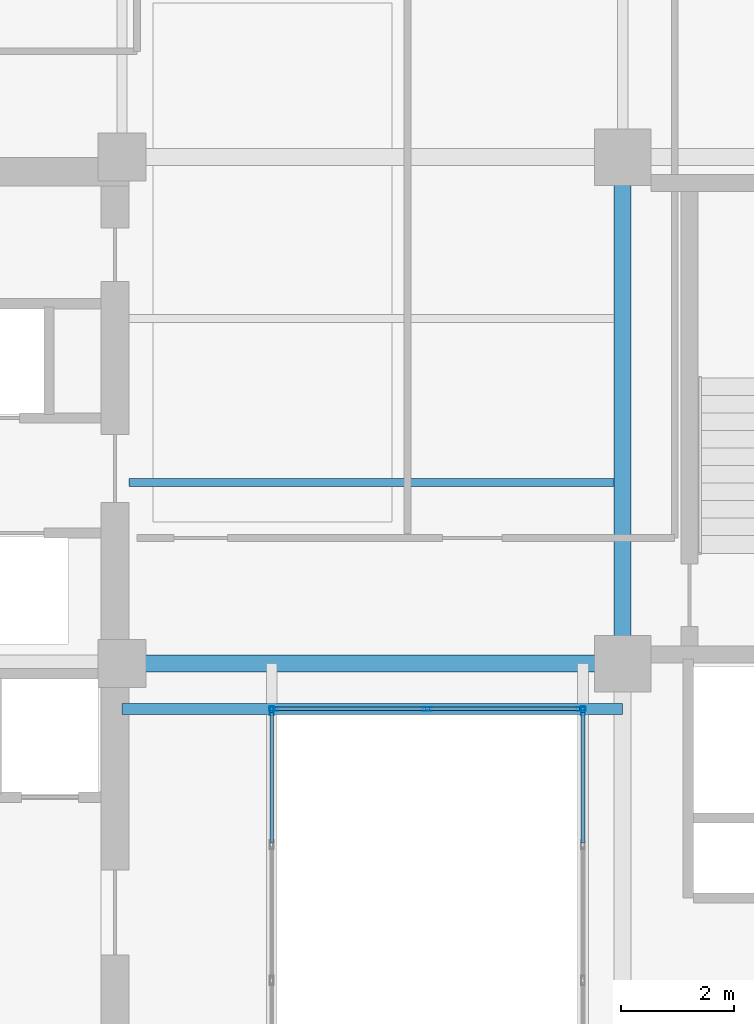
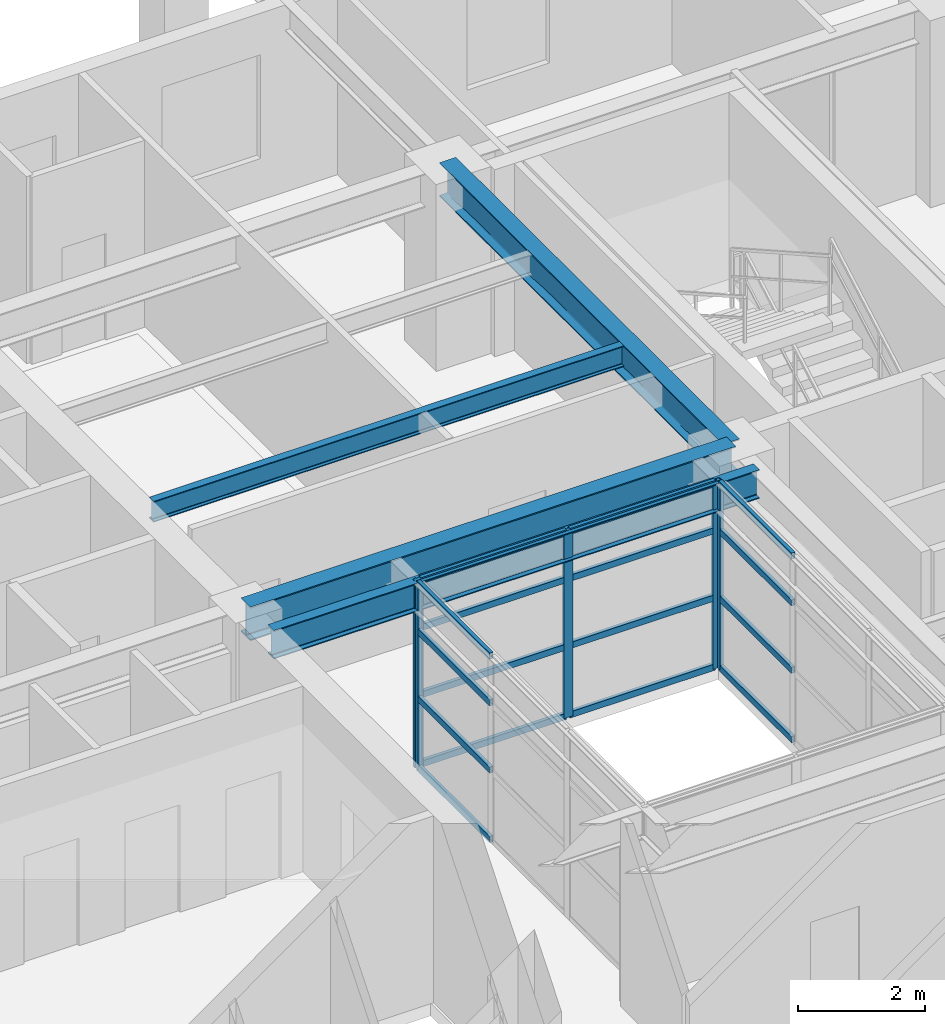
# One storey, part 4 of 14: 21 members, 4 beams, 3 elements without a shape of their own.
"""IFC4 building model written with IfcOpenShell, lengths in metres."""

import ifcopenshell
import ifcopenshell.guid

model = None  # the IFC model being written
_history = None  # IfcOwnerHistory: only IFC2X3 demands one
_inside = {}  # id of a spatial element -> (the spatial element, [elements in it])
_under = {}  # id of a project, library or spatial element -> (it, [spatial elements below it])
_declared = {}  # id of a project -> (the project, [libraries it declares])
_typed = {}  # id of a type object -> (the type object, [elements of that type])
_made_of = {}  # id of a material, layer set ... -> (it, [elements and type objects made of it])


def new_model(schema):
    """Start an empty IFC model of exactly this schema.

    Asked for "IFC4X3", IfcOpenShell would pick the latest addendum, in which some entities
    have other attributes; the version numbers below select the first issue.
    IFC2X3 requires an IfcOwnerHistory on every rooted entity: one is made here for all.
    """
    global model, _history
    if schema == "IFC4X3":
        model = ifcopenshell.file(schema_version=(4, 3, 0, 0))
    else:
        model = ifcopenshell.file(schema=schema)
    _inside.clear()
    _under.clear()
    _declared.clear()
    _typed.clear()
    _made_of.clear()
    _history = None
    if model.schema == "IFC2X3":
        org = make("IfcOrganization", Name="unknown")
        user = make(
            "IfcPersonAndOrganization",
            ThePerson=make("IfcPerson", FamilyName="unknown"),
            TheOrganization=org,
        )
        app = make(
            "IfcApplication",
            ApplicationDeveloper=org,
            Version="unknown",
            ApplicationFullName="unknown",
            ApplicationIdentifier="unknown",
        )
        _history = make(
            "IfcOwnerHistory",
            OwningUser=user,
            OwningApplication=app,
            ChangeAction="ADDED",
            CreationDate=0,
        )
    return model


def make(cls, **values):
    """One entity of the class cls with the attributes given. An attribute that is None is left unset."""
    return model.create_entity(
        cls, **{name: value for name, value in values.items() if value is not None}
    )


def rooted(cls, **values):
    """An entity with a GlobalId (a new one), such as an element, a storey or a relation."""
    return make(cls, GlobalId=ifcopenshell.guid.new(), OwnerHistory=_history, **values)


def si_unit(unit_type, name, prefix=None):
    """IfcSIUnit, for example si_unit("LENGTHUNIT", "METRE", prefix="MILLI")."""
    return make("IfcSIUnit", UnitType=unit_type, Prefix=prefix, Name=name)


def assignment(units):
    """IfcUnitAssignment: the units of a project."""
    return None if units is None else make("IfcUnitAssignment", Units=units)


def point(xyz):
    """IfcCartesianPoint."""
    return None if xyz is None else make("IfcCartesianPoint", Coordinates=xyz)


def direction(xyz):
    """IfcDirection."""
    return None if xyz is None else make("IfcDirection", DirectionRatios=xyz)


def frame(location, z_axis=None, x_axis=None):
    """IfcAxis2Placement3D, a coordinate frame: its origin and axes. An axis left out is left unset."""
    return make(
        "IfcAxis2Placement3D",
        Location=point(location),
        Axis=direction(z_axis),
        RefDirection=direction(x_axis),
    )


def frame_2d(location, x_axis=None):
    """IfcAxis2Placement2D, a coordinate frame in the plane: its origin and x axis."""
    return make(
        "IfcAxis2Placement2D", Location=point(location), RefDirection=direction(x_axis)
    )


def origin():
    """The frame at (0, 0, 0) with its axes left unset."""
    return frame((0.0, 0.0, 0.0))


def origin_2d():
    """The frame at (0, 0) in the plane with its x axis left unset."""
    return frame_2d((0.0, 0.0))


def place(relative_to, where):
    """IfcLocalPlacement: puts the frame where relative to a parent placement (None: the world)."""
    return make(
        "IfcLocalPlacement", PlacementRelTo=relative_to, RelativePlacement=where
    )


def context(
    kind, dimensions, precision=None, world=None, true_north=None, identifier=None
):
    """IfcGeometricRepresentationContext, for example the 3D "Model" context."""
    return make(
        "IfcGeometricRepresentationContext",
        ContextIdentifier=identifier,
        ContextType=kind,
        CoordinateSpaceDimension=dimensions,
        Precision=precision,
        WorldCoordinateSystem=world,
        TrueNorth=true_north,
    )


def subcontext(parent, identifier, kind, view, scale=None):
    """IfcGeometricRepresentationSubContext, for example "Body" below "Model"."""
    return make(
        "IfcGeometricRepresentationSubContext",
        ContextIdentifier=identifier,
        ContextType=kind,
        ParentContext=parent,
        TargetScale=scale,
        TargetView=view,
    )


def project(units=None, contexts=None):
    """IfcProject with its units and contexts."""
    return rooted(
        "IfcProject",
        Name="project",
        RepresentationContexts=contexts,
        UnitsInContext=assignment(units),
    )


def spatial(cls, under=None, at=None, **own):
    """A site, building, storey or space (cls), placed at a placement, below another one or the project."""
    s = rooted(cls, ObjectPlacement=at, **own)
    if under is not None:
        _under.setdefault(under.id(), (under, []))[1].append(s)
    return s


def profile(cls, at=None, kind="AREA", **sizes):
    """A parametric profile (cls). Its sizes go by their IFC names, for example OverallWidth=200.0."""
    return make(cls, ProfileType=kind, Position=at, **sizes)


def hollow_rectangle(**sizes):
    """IfcRectangleHollowProfileDef."""
    return profile("IfcRectangleHollowProfileDef", **sizes)


def i_section(**sizes):
    """IfcIShapeProfileDef."""
    return profile("IfcIShapeProfileDef", **sizes)


def extrude(swept, where, along, depth):
    """IfcExtrudedAreaSolid: the profile swept, set in the frame where, extruded along a direction by depth."""
    return make(
        "IfcExtrudedAreaSolid",
        SweptArea=swept,
        Position=where,
        ExtrudedDirection=direction(along),
        Depth=depth,
    )


def shape(context_of_items, identifier, shape_type, items):
    """IfcShapeRepresentation: the items that make up one representation, for example the "Body"."""
    return make(
        "IfcShapeRepresentation",
        ContextOfItems=context_of_items,
        RepresentationIdentifier=identifier,
        RepresentationType=shape_type,
        Items=items,
    )


def material(Name=None, Category=None):
    """IfcMaterial."""
    return make("IfcMaterial", Name=Name, Category=Category)


def layer(
    of_material, thickness, ventilated=None, Name=None, Category=None, Priority=None
):
    """IfcMaterialLayer: one layer of a wall or slab, of a material (None: an air gap)."""
    return make(
        "IfcMaterialLayer",
        Material=of_material,
        LayerThickness=thickness,
        IsVentilated=ventilated,
        Name=Name,
        Category=Category,
        Priority=Priority,
    )


def layer_set(layers, Name=None):
    """IfcMaterialLayerSet."""
    return make("IfcMaterialLayerSet", MaterialLayers=layers, LayerSetName=Name)


def material_profile(
    of_material, cross_section, Name=None, Category=None, Priority=None
):
    """IfcMaterialProfile: a cross section and its material."""
    return make(
        "IfcMaterialProfile",
        Name=Name,
        Material=of_material,
        Profile=cross_section,
        Priority=Priority,
        Category=Category,
    )


def profile_set(profiles, Name=None, composite=None):
    """IfcMaterialProfileSet."""
    return make(
        "IfcMaterialProfileSet",
        Name=Name,
        MaterialProfiles=profiles,
        CompositeProfile=composite,
    )


def made_of(thing, what):
    """Note that an element or type object is made of a material, layer set ...; save() writes the relation."""
    if what is not None:
        _made_of.setdefault(what.id(), (what, []))[1].append(thing)
    return thing


def type_object(cls, material=None, **own):
    """A type object (cls), such as IfcWallType, which elements share."""
    return made_of(rooted(cls, **own), material)


def element(
    cls,
    number,
    at=None,
    inside=None,
    cuts=None,
    type_object=None,
    material=None,
    context=None,
    identifier="Body",
    shape_type=None,
    held_by="IfcProductDefinitionShape",
    body=None,
    shapes=None,
    **own,
):
    """One element of the class cls, such as IfcWall. Its Tag is "e" and its number.

    at: its placement. inside: the storey or other place that contains it. cuts: it is an
    opening in that element (IfcRelVoidsElement). A single representation is given by context,
    identifier, shape_type and body (its items); several are given by shapes. held_by: the class
    of the entity that holds the representations. save() writes the other relations.
    """
    e = rooted(cls, Tag="e%d" % number, ObjectPlacement=at, **own)
    if body is not None:
        shapes = [shape(context, identifier, shape_type, body)]
    if shapes is not None:
        e.Representation = make(held_by, Representations=shapes)
    if inside is not None:
        _inside.setdefault(inside.id(), (inside, []))[1].append(e)
    if cuts is not None:
        rooted(
            "IfcRelVoidsElement", RelatingBuildingElement=cuts, RelatedOpeningElement=e
        )
    if type_object is not None:
        _typed.setdefault(type_object.id(), (type_object, []))[1].append(e)
    return made_of(e, material)


def aggregate(whole, parts):
    """IfcRelAggregates: a whole, such as a stair, and the parts it consists of."""
    return rooted("IfcRelAggregates", RelatingObject=whole, RelatedObjects=parts)


def save(model, path):
    """Write the relations noted so far, then the file.

    IfcRelAggregates (storeys below a building ...), IfcRelContainedInSpatialStructure (elements
    in a storey), IfcRelDefinesByType, IfcRelAssociatesMaterial and IfcRelDeclares: one each for
    every whole, place, type object, material and project.
    """
    for whole, parts in _under.values():
        aggregate(whole, parts)
    for where, things in _inside.values():
        rooted(
            "IfcRelContainedInSpatialStructure",
            RelatedElements=things,
            RelatingStructure=where,
        )
    for kind, things in _typed.values():
        rooted("IfcRelDefinesByType", RelatedObjects=things, RelatingType=kind)
    for what, things in _made_of.values():
        rooted("IfcRelAssociatesMaterial", RelatedObjects=things, RelatingMaterial=what)
    for by, libraries in _declared.values():
        rooted("IfcRelDeclares", RelatingContext=by, RelatedDefinitions=libraries)
    model.write(path)


model = new_model("IFC4")

# Units and contexts
model_context = context("Model", 3, precision=1e-05, world=origin(), true_north=direction((0.0, 1.0)))
body_context = subcontext(model_context, "Body", "Model", "MODEL_VIEW")
ifc_project = project(units=[si_unit("LENGTHUNIT", "METRE"), si_unit("AREAUNIT", "SQUARE_METRE"), si_unit("VOLUMEUNIT", "CUBIC_METRE"), si_unit("PLANEANGLEUNIT", "RADIAN"), si_unit("MASSUNIT", "GRAM", prefix="KILO")], contexts=[model_context])

# Site, building, storey
site_placement = place(None, origin())
site = spatial("IfcSite", under=ifc_project, at=site_placement, CompositionType="ELEMENT")
building_placement = place(site_placement, origin())
building = spatial("IfcBuilding", under=site, at=building_placement, Name="Kundavana Baori Tower", CompositionType="ELEMENT")
storey_placement = place(building_placement, frame((0.0, 0.0, 104.0)))
storey = spatial("IfcBuildingStorey", under=building, at=storey_placement, Name="L24", CompositionType="ELEMENT", Elevation=104.0)

# Beams
ifc_material_1 = material(Name="Structural Steel S355JR", Category="steel")
ifc_material_profile_1 = material_profile(ifc_material_1, i_section(OverallWidth=0.139892578125, OverallDepth=0.39990234375, WebThickness=0.0087890625, FlangeThickness=0.01611328125, FilletRadius=0.013916015625, at=origin_2d()), Name="ISMB 400")
ifc_profile_set_1 = profile_set([ifc_material_profile_1], Name="Structural Steel S355JR")
beam_type_1 = type_object("IfcBeamType", Name="BM-JST-400", PredefinedType="JOIST", material=ifc_profile_set_1)
beam_1_placement = place(storey_placement, frame((25.080078125, 36.199951171875, 3.39990234375), z_axis=(1.0, 0.0, 0.0), x_axis=(0.0, 1.0, 0.0)))
element("IfcBeam", 1, at=beam_1_placement, inside=storey, type_object=beam_type_1, Name="L24 Central Bay Composite Floor Joist C3", PredefinedType="JOIST", context=body_context, shape_type="SweptSolid", body=[
    extrude(i_section(OverallWidth=0.139892578125, OverallDepth=0.39990234375, WebThickness=0.0087890625, FlangeThickness=0.01611328125, FilletRadius=0.013916015625, at=origin_2d()), origin(), (0.0, 0.0, 1.0), 8.56982421875),
])
ifc_material_2 = material(Name="Structural Steel S355JR", Category="steel")
ifc_material_profile_2 = material_profile(ifc_material_2, i_section(OverallWidth=0.18994140625, OverallDepth=0.550048828125, WebThickness=0.01123046875, FlangeThickness=0.019287109375, FilletRadius=0.01806640625, at=origin_2d()), Name="ISMB 550")
ifc_profile_set_2 = profile_set([ifc_material_profile_2], Name="Structural Steel S355JR")
beam_type_2 = type_object("IfcBeamType", Name="BM-ST-550", PredefinedType="BEAM", material=ifc_profile_set_2)
beam_2_placement = place(storey_placement, frame((24.949951171875, 32.199951171875, 3.324951171875), z_axis=(1.0, 0.0, 0.0), x_axis=(0.0, 1.0, 0.0)))
element("IfcBeam", 2, at=beam_2_placement, inside=storey, type_object=beam_type_2, Name="L24 Atrium North Edge Beam", PredefinedType="BEAM", context=body_context, shape_type="SweptSolid", body=[
    extrude(i_section(OverallWidth=0.18994140625, OverallDepth=0.550048828125, WebThickness=0.01123046875, FlangeThickness=0.019287109375, FilletRadius=0.01806640625, at=origin_2d()), origin(), (0.0, 0.0, 1.0), 8.85009765625),
])
ifc_material_3 = material(Name="Structural Steel S355JR", Category="steel")
ifc_material_profile_3 = material_profile(ifc_material_3, i_section(OverallWidth=0.300048828125, OverallDepth=0.64990234375, WebThickness=0.013427734375, FlangeThickness=0.02197265625, FilletRadius=0.02392578125, at=origin_2d()), Name="NPB 650x300x155")
ifc_profile_set_3 = profile_set([ifc_material_profile_3], Name="Structural Steel S355JR")
beam_type_3 = type_object("IfcBeamType", Name="BM-ST-650", PredefinedType="BEAM", material=ifc_profile_set_3)
beam_3_placement = place(storey_placement, frame((24.949951171875, 33.0, 3.27490234375), z_axis=(1.0, 0.0, 0.0), x_axis=(0.0, 1.0, 0.0)))
element("IfcBeam", 3, at=beam_3_placement, inside=storey, type_object=beam_type_3, Name="L24 Primary Grid Girder GX-3-2", PredefinedType="BEAM", context=body_context, shape_type="SweptSolid", body=[
    extrude(i_section(OverallWidth=0.300048828125, OverallDepth=0.64990234375, WebThickness=0.013427734375, FlangeThickness=0.02197265625, FilletRadius=0.02392578125, at=origin_2d()), origin(), (0.0, 0.0, 1.0), 8.85009765625),
])
beam_4_placement = place(storey_placement, frame((33.800048828125, 33.0, 3.27490234375), z_axis=(0.0, 1.0, 0.0), x_axis=(-1.0, 0.0, 0.0)))
element("IfcBeam", 4, at=beam_4_placement, inside=storey, type_object=beam_type_3, Name="L24 Primary Grid Girder GY-3-3", PredefinedType="BEAM", context=body_context, shape_type="SweptSolid", body=[
    extrude(i_section(OverallWidth=0.300048828125, OverallDepth=0.64990234375, WebThickness=0.013427734375, FlangeThickness=0.02197265625, FilletRadius=0.02392578125, at=origin_2d()), origin(), (0.0, 0.0, 1.0), 8.949951171875),
])

# Curtain wall, member
ifc_material_4 = material(Name="Thermally Broken Anodised Aluminium Framing", Category="aluminium")
ifc_layer = layer(ifc_material_4, 0.205078125, Name="CW-SYS-4")
ifc_layer_set = layer_set([ifc_layer], Name="Thermally Broken Anodised Aluminium Framing")
curtain_wall_type = type_object("IfcCurtainWallType", Name="CW-SYS-4", PredefinedType="NOTDEFINED", material=ifc_layer_set)
curtain_wall_1_placement = place(storey_placement, origin())
curtain_wall_1 = element("IfcCurtainWall", 5, at=curtain_wall_1_placement, inside=storey, type_object=curtain_wall_type, Name="L24 Atrium Glazed Curtain Wall E", PredefinedType="NOTDEFINED")
ifc_material_5 = material(Name="Thermally Broken Anodised Aluminium Framing", Category="aluminium")
ifc_material_profile_4 = material_profile(ifc_material_5, hollow_rectangle(XDim=0.06494140625, YDim=0.159912109375, WallThickness=0.00390625, at=origin_2d()), Name="CW-MULL-160")
ifc_profile_set_4 = profile_set([ifc_material_profile_4], Name="Thermally Broken Anodised Aluminium Framing")
member_type_1 = type_object("IfcMemberType", Name="CW-MULL-160", PredefinedType="MULLION", material=ifc_profile_set_4)
member_1_placement = place(storey_placement, frame((33.10009765625, 32.16748046875, 0.0), z_axis=(0.0, 0.0, 1.0), x_axis=(-1.0, 0.0, 0.0)))
member_1 = element("IfcMember", 6, at=member_1_placement, type_object=member_type_1, Name="CW4 mullion 4", PredefinedType="MULLION", context=body_context, shape_type="SweptSolid", body=[
    extrude(hollow_rectangle(XDim=0.06494140625, YDim=0.159912109375, WallThickness=0.00390625, at=origin_2d()), origin(), (0.0, 0.0, 1.0), 3.60009765625),
])

# Curtain wall, members
curtain_wall_2_placement = place(storey_placement, origin())
curtain_wall_2 = element("IfcCurtainWall", 7, at=curtain_wall_2_placement, inside=storey, type_object=curtain_wall_type, Name="L24 Atrium Glazed Curtain Wall N", PredefinedType="NOTDEFINED")
member_2_placement = place(storey_placement, frame((33.0673828125, 32.199951171875, 0.0), z_axis=(0.0, 0.0, 1.0), x_axis=(0.0, -1.0, 0.0)))
member_2 = element("IfcMember", 8, at=member_2_placement, type_object=member_type_1, Name="CW4 mullion 1", PredefinedType="MULLION", context=body_context, shape_type="SweptSolid", body=[
    extrude(hollow_rectangle(XDim=0.06494140625, YDim=0.159912109375, WallThickness=0.00390625, at=origin_2d()), origin(), (0.0, 0.0, 1.0), 3.60009765625),
])
member_3_placement = place(storey_placement, frame((30.35009765625, 32.199951171875, 0.0), z_axis=(0.0, 0.0, 1.0), x_axis=(0.0, -1.0, 0.0)))
member_3 = element("IfcMember", 9, at=member_3_placement, type_object=member_type_1, Name="CW4 mullion 2", PredefinedType="MULLION", context=body_context, shape_type="SweptSolid", body=[
    extrude(hollow_rectangle(XDim=0.06494140625, YDim=0.159912109375, WallThickness=0.00390625, at=origin_2d()), origin(), (0.0, 0.0, 1.0), 3.60009765625),
])
member_4_placement = place(storey_placement, frame((27.632568359375, 32.199951171875, 0.0), z_axis=(0.0, 0.0, 1.0), x_axis=(0.0, -1.0, 0.0)))
member_4 = element("IfcMember", 10, at=member_4_placement, type_object=member_type_1, Name="CW4 mullion 3", PredefinedType="MULLION", context=body_context, shape_type="SweptSolid", body=[
    extrude(hollow_rectangle(XDim=0.06494140625, YDim=0.159912109375, WallThickness=0.00390625, at=origin_2d()), origin(), (0.0, 0.0, 1.0), 3.60009765625),
])

# Curtain wall, member
curtain_wall_3_placement = place(storey_placement, origin())
curtain_wall_3 = element("IfcCurtainWall", 11, at=curtain_wall_3_placement, inside=storey, type_object=curtain_wall_type, Name="L24 Atrium Glazed Curtain Wall W", PredefinedType="NOTDEFINED")
member_5_placement = place(storey_placement, frame((27.60009765625, 32.16748046875, 0.0), z_axis=(0.0, 0.0, 1.0), x_axis=(1.0, 0.0, 0.0)))
member_5 = element("IfcMember", 12, at=member_5_placement, type_object=member_type_1, Name="CW4 mullion 1", PredefinedType="MULLION", context=body_context, shape_type="SweptSolid", body=[
    extrude(hollow_rectangle(XDim=0.06494140625, YDim=0.159912109375, WallThickness=0.00390625, at=origin_2d()), origin(), (0.0, 0.0, 1.0), 3.60009765625),
])

# Member
ifc_material_6 = material(Name="Thermally Broken Anodised Aluminium Framing", Category="aluminium")
ifc_material_profile_5 = material_profile(ifc_material_6, hollow_rectangle(XDim=0.06494140625, YDim=0.1201171875, WallThickness=0.00390625, at=origin_2d()), Name="CW-TRAN-120")
ifc_profile_set_5 = profile_set([ifc_material_profile_5], Name="Thermally Broken Anodised Aluminium Framing")
member_type_2 = type_object("IfcMemberType", Name="CW-TRAN-120", PredefinedType="USERDEFINED", material=ifc_profile_set_5)
member_6_placement = place(storey_placement, frame((33.10009765625, 29.83251953125, 0.032470703125), z_axis=(0.0, 1.0, 0.0), x_axis=(-1.0, 0.0, 0.0)))
member_6 = element("IfcMember", 13, at=member_6_placement, type_object=member_type_2, Name="CW4 transom 3.1", ObjectType="TRANSOM", PredefinedType="USERDEFINED", context=body_context, shape_type="SweptSolid", body=[
    extrude(hollow_rectangle(XDim=0.06494140625, YDim=0.1201171875, WallThickness=0.00390625, at=origin_2d()), origin(), (0.0, 0.0, 1.0), 2.302490234375),
])

member_7_placement = place(storey_placement, frame((33.10009765625, 29.83251953125, 1.367919921875), z_axis=(0.0, 1.0, 0.0), x_axis=(-1.0, 0.0, 0.0)))
member_7 = element("IfcMember", 14, at=member_7_placement, type_object=member_type_2, Name="CW4 transom 3.2", ObjectType="TRANSOM", PredefinedType="USERDEFINED", context=body_context, shape_type="SweptSolid", body=[
    extrude(hollow_rectangle(XDim=0.06494140625, YDim=0.1201171875, WallThickness=0.00390625, at=origin_2d()), origin(), (0.0, 0.0, 1.0), 2.302490234375),
])

member_8_placement = place(storey_placement, frame((33.10009765625, 29.83251953125, 2.6640625), z_axis=(0.0, 1.0, 0.0), x_axis=(-1.0, 0.0, 0.0)))
member_8 = element("IfcMember", 15, at=member_8_placement, type_object=member_type_2, Name="CW4 transom 3.3", ObjectType="TRANSOM", PredefinedType="USERDEFINED", context=body_context, shape_type="SweptSolid", body=[
    extrude(hollow_rectangle(XDim=0.06494140625, YDim=0.1201171875, WallThickness=0.00390625, at=origin_2d()), origin(), (0.0, 0.0, 1.0), 2.302490234375),
])

member_9_placement = place(storey_placement, frame((33.10009765625, 29.83251953125, 3.5673828125), z_axis=(0.0, 1.0, 0.0), x_axis=(-1.0, 0.0, 0.0)))
member_9 = element("IfcMember", 16, at=member_9_placement, type_object=member_type_2, Name="CW4 transom 3.4", ObjectType="TRANSOM", PredefinedType="USERDEFINED", context=body_context, shape_type="SweptSolid", body=[
    extrude(hollow_rectangle(XDim=0.06494140625, YDim=0.1201171875, WallThickness=0.00390625, at=origin_2d()), origin(), (0.0, 0.0, 1.0), 2.302490234375),
])

aggregate(curtain_wall_1, [member_1, member_6, member_7, member_8, member_9])

member_10_placement = place(storey_placement, frame((33.034912109375, 32.199951171875, 0.032470703125), z_axis=(-1.0, 0.0, 0.0), x_axis=(0.0, -1.0, 0.0)))
member_10 = element("IfcMember", 17, at=member_10_placement, type_object=member_type_2, Name="CW4 transom 1.1", ObjectType="TRANSOM", PredefinedType="USERDEFINED", context=body_context, shape_type="SweptSolid", body=[
    extrude(hollow_rectangle(XDim=0.06494140625, YDim=0.1201171875, WallThickness=0.00390625, at=origin_2d()), origin(), (0.0, 0.0, 1.0), 2.65234375),
])

member_11_placement = place(storey_placement, frame((33.034912109375, 32.199951171875, 1.367919921875), z_axis=(-1.0, 0.0, 0.0), x_axis=(0.0, -1.0, 0.0)))
member_11 = element("IfcMember", 18, at=member_11_placement, type_object=member_type_2, Name="CW4 transom 1.2", ObjectType="TRANSOM", PredefinedType="USERDEFINED", context=body_context, shape_type="SweptSolid", body=[
    extrude(hollow_rectangle(XDim=0.06494140625, YDim=0.1201171875, WallThickness=0.00390625, at=origin_2d()), origin(), (0.0, 0.0, 1.0), 2.65234375),
])

member_12_placement = place(storey_placement, frame((33.034912109375, 32.199951171875, 2.6640625), z_axis=(-1.0, 0.0, 0.0), x_axis=(0.0, -1.0, 0.0)))
member_12 = element("IfcMember", 19, at=member_12_placement, type_object=member_type_2, Name="CW4 transom 1.3", ObjectType="TRANSOM", PredefinedType="USERDEFINED", context=body_context, shape_type="SweptSolid", body=[
    extrude(hollow_rectangle(XDim=0.06494140625, YDim=0.1201171875, WallThickness=0.00390625, at=origin_2d()), origin(), (0.0, 0.0, 1.0), 2.65234375),
])

member_13_placement = place(storey_placement, frame((33.034912109375, 32.199951171875, 3.5673828125), z_axis=(-1.0, 0.0, 0.0), x_axis=(0.0, -1.0, 0.0)))
member_13 = element("IfcMember", 20, at=member_13_placement, type_object=member_type_2, Name="CW4 transom 1.4", ObjectType="TRANSOM", PredefinedType="USERDEFINED", context=body_context, shape_type="SweptSolid", body=[
    extrude(hollow_rectangle(XDim=0.06494140625, YDim=0.1201171875, WallThickness=0.00390625, at=origin_2d()), origin(), (0.0, 0.0, 1.0), 2.65234375),
])

member_14_placement = place(storey_placement, frame((30.3173828125, 32.199951171875, 0.032470703125), z_axis=(-1.0, 0.0, 0.0), x_axis=(0.0, -1.0, 0.0)))
member_14 = element("IfcMember", 21, at=member_14_placement, type_object=member_type_2, Name="CW4 transom 2.1", ObjectType="TRANSOM", PredefinedType="USERDEFINED", context=body_context, shape_type="SweptSolid", body=[
    extrude(hollow_rectangle(XDim=0.06494140625, YDim=0.1201171875, WallThickness=0.00390625, at=origin_2d()), origin(), (0.0, 0.0, 1.0), 2.65234375),
])

member_15_placement = place(storey_placement, frame((30.3173828125, 32.199951171875, 1.367919921875), z_axis=(-1.0, 0.0, 0.0), x_axis=(0.0, -1.0, 0.0)))
member_15 = element("IfcMember", 22, at=member_15_placement, type_object=member_type_2, Name="CW4 transom 2.2", ObjectType="TRANSOM", PredefinedType="USERDEFINED", context=body_context, shape_type="SweptSolid", body=[
    extrude(hollow_rectangle(XDim=0.06494140625, YDim=0.1201171875, WallThickness=0.00390625, at=origin_2d()), origin(), (0.0, 0.0, 1.0), 2.65234375),
])

member_16_placement = place(storey_placement, frame((30.3173828125, 32.199951171875, 2.6640625), z_axis=(-1.0, 0.0, 0.0), x_axis=(0.0, -1.0, 0.0)))
member_16 = element("IfcMember", 23, at=member_16_placement, type_object=member_type_2, Name="CW4 transom 2.3", ObjectType="TRANSOM", PredefinedType="USERDEFINED", context=body_context, shape_type="SweptSolid", body=[
    extrude(hollow_rectangle(XDim=0.06494140625, YDim=0.1201171875, WallThickness=0.00390625, at=origin_2d()), origin(), (0.0, 0.0, 1.0), 2.65234375),
])

member_17_placement = place(storey_placement, frame((30.3173828125, 32.199951171875, 3.5673828125), z_axis=(-1.0, 0.0, 0.0), x_axis=(0.0, -1.0, 0.0)))
member_17 = element("IfcMember", 24, at=member_17_placement, type_object=member_type_2, Name="CW4 transom 2.4", ObjectType="TRANSOM", PredefinedType="USERDEFINED", context=body_context, shape_type="SweptSolid", body=[
    extrude(hollow_rectangle(XDim=0.06494140625, YDim=0.1201171875, WallThickness=0.00390625, at=origin_2d()), origin(), (0.0, 0.0, 1.0), 2.65234375),
])

aggregate(curtain_wall_2, [member_2, member_3, member_4, member_10, member_11, member_12, member_13, member_14, member_15, member_16, member_17])

member_18_placement = place(storey_placement, frame((27.60009765625, 32.135009765625, 0.032470703125), z_axis=(0.0, -1.0, 0.0), x_axis=(1.0, 0.0, 0.0)))
member_18 = element("IfcMember", 25, at=member_18_placement, type_object=member_type_2, Name="CW4 transom 1.1", ObjectType="TRANSOM", PredefinedType="USERDEFINED", context=body_context, shape_type="SweptSolid", body=[
    extrude(hollow_rectangle(XDim=0.06494140625, YDim=0.1201171875, WallThickness=0.00390625, at=origin_2d()), origin(), (0.0, 0.0, 1.0), 2.302490234375),
])

member_19_placement = place(storey_placement, frame((27.60009765625, 32.135009765625, 1.367919921875), z_axis=(0.0, -1.0, 0.0), x_axis=(1.0, 0.0, 0.0)))
member_19 = element("IfcMember", 26, at=member_19_placement, type_object=member_type_2, Name="CW4 transom 1.2", ObjectType="TRANSOM", PredefinedType="USERDEFINED", context=body_context, shape_type="SweptSolid", body=[
    extrude(hollow_rectangle(XDim=0.06494140625, YDim=0.1201171875, WallThickness=0.00390625, at=origin_2d()), origin(), (0.0, 0.0, 1.0), 2.302490234375),
])

member_20_placement = place(storey_placement, frame((27.60009765625, 32.135009765625, 2.6640625), z_axis=(0.0, -1.0, 0.0), x_axis=(1.0, 0.0, 0.0)))
member_20 = element("IfcMember", 27, at=member_20_placement, type_object=member_type_2, Name="CW4 transom 1.3", ObjectType="TRANSOM", PredefinedType="USERDEFINED", context=body_context, shape_type="SweptSolid", body=[
    extrude(hollow_rectangle(XDim=0.06494140625, YDim=0.1201171875, WallThickness=0.00390625, at=origin_2d()), origin(), (0.0, 0.0, 1.0), 2.302490234375),
])

member_21_placement = place(storey_placement, frame((27.60009765625, 32.135009765625, 3.5673828125), z_axis=(0.0, -1.0, 0.0), x_axis=(1.0, 0.0, 0.0)))
member_21 = element("IfcMember", 28, at=member_21_placement, type_object=member_type_2, Name="CW4 transom 1.4", ObjectType="TRANSOM", PredefinedType="USERDEFINED", context=body_context, shape_type="SweptSolid", body=[
    extrude(hollow_rectangle(XDim=0.06494140625, YDim=0.1201171875, WallThickness=0.00390625, at=origin_2d()), origin(), (0.0, 0.0, 1.0), 2.302490234375),
])

aggregate(curtain_wall_3, [member_5, member_18, member_19, member_20, member_21])

save(model, "model.ifc")
